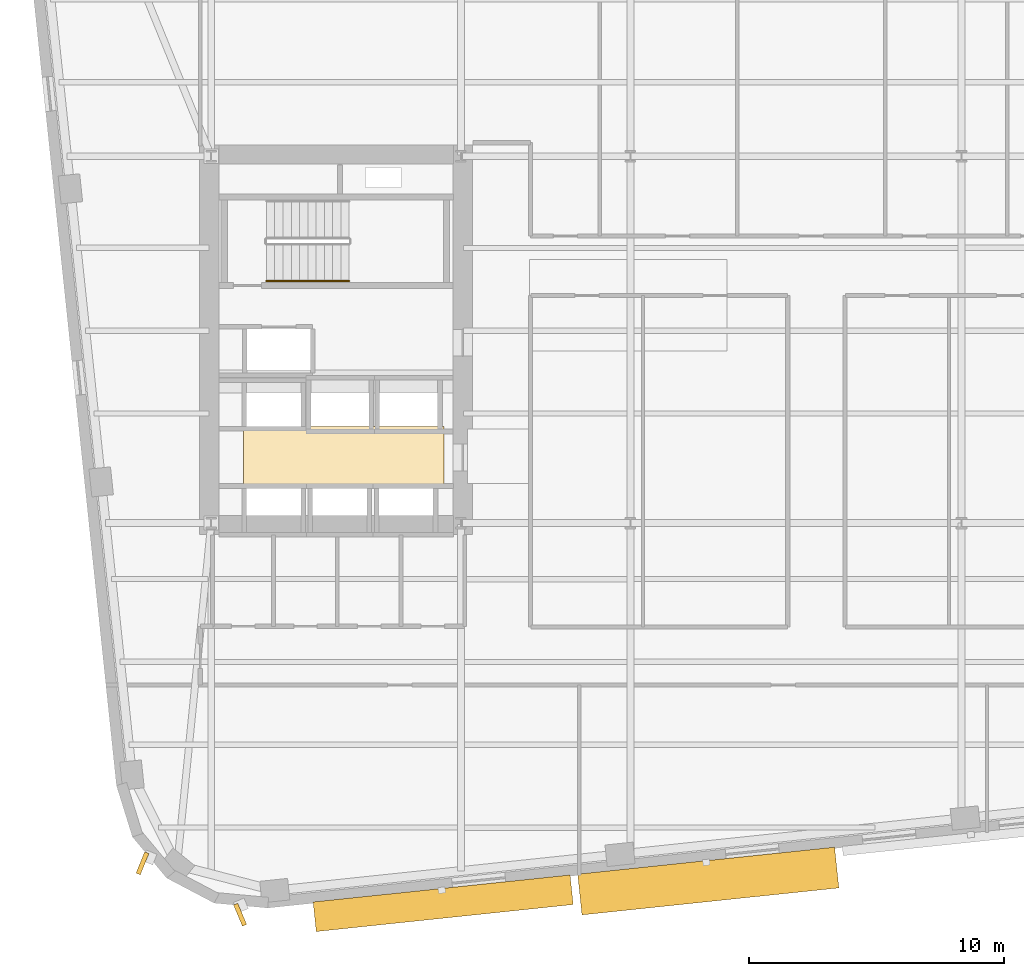
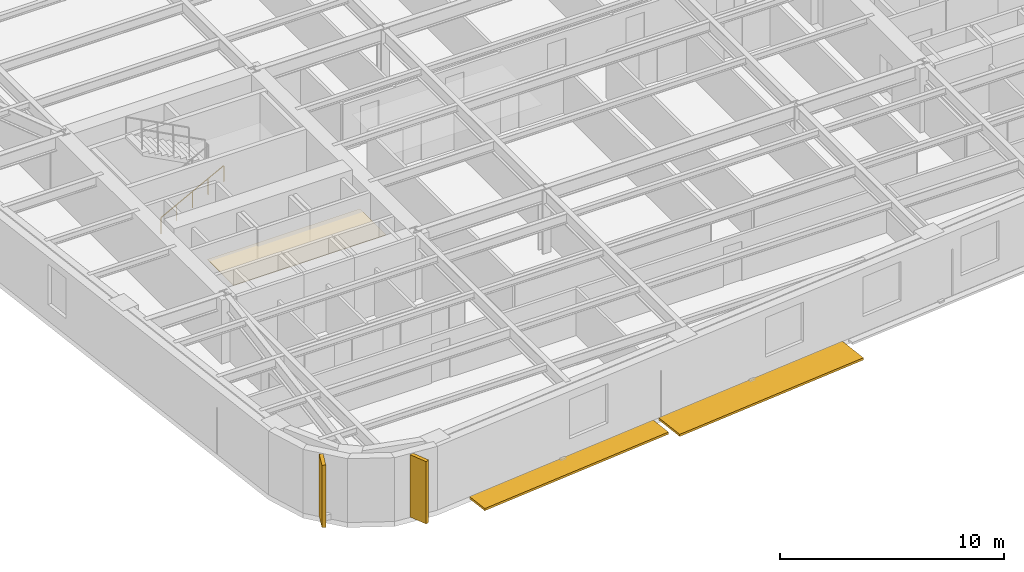
# One storey, part 9 of 15: 4 shading devices, 1 covering, 1 railing.
"""IFC4 building model written with IfcOpenShell, lengths in metres."""

from ifc_helpers import new_model, si_unit, direction, frame, origin, origin_2d, place, context, subcontext, project, spatial, polyline, rectangle, circle, outline, extrude, material, layer, layer_set, type_object, element, save


model = new_model("IFC4")

# Units and contexts
model_context = context("Model", 3, precision=1e-05, world=origin(), true_north=direction((0.0, 1.0)))
body_context = subcontext(model_context, "Body", "Model", "MODEL_VIEW")
ifc_project = project(units=[si_unit("LENGTHUNIT", "METRE"), si_unit("AREAUNIT", "SQUARE_METRE"), si_unit("VOLUMEUNIT", "CUBIC_METRE"), si_unit("PLANEANGLEUNIT", "RADIAN"), si_unit("MASSUNIT", "GRAM", prefix="KILO")], contexts=[model_context])

# Site, building, storey
site_placement = place(None, origin())
site = spatial("IfcSite", under=ifc_project, at=site_placement, CompositionType="ELEMENT")
building_placement = place(site_placement, origin())
building = spatial("IfcBuilding", under=site, at=building_placement, Name="Kolvaren Arena Tower", CompositionType="ELEMENT")
storey_placement = place(building_placement, frame((0.0, 0.0, 107.199951171875)))
storey = spatial("IfcBuildingStorey", under=building, at=storey_placement, Name="L24", CompositionType="ELEMENT", Elevation=107.199951171875)

# Covering
ifc_material_1 = material(Name="Moisture-resistant gypsum ceiling", Category="gypsum")
ifc_layer = layer(ifc_material_1, 0.030029296875)
ifc_layer_set = layer_set([ifc_layer], Name="Moisture-resistant gypsum ceiling")
covering_type = type_object("IfcCoveringType", Name="CEIL-GYP-1", PredefinedType="CEILING", material=ifc_layer_set)
covering_placement = place(storey_placement, frame((0.0, 0.0, 2.52001953125)))
element("IfcCovering", 1, at=covering_placement, inside=storey, type_object=covering_type, Name="Suspended Ceiling (L24)", PredefinedType="CEILING", context=body_context, shape_type="SweptSolid", body=[
    extrude(outline(polyline([(15.820068359375, 20.89990234375), (15.820068359375, 23.239990234375), (23.679931640625, 23.239990234375), (23.679931640625, 20.89990234375), (15.820068359375, 20.89990234375)])), origin(), (0.0, 0.0, 1.0), 0.030029296875),
])

# Railing
ifc_material_2 = material(Name="Brushed stainless steel handrail", Category="steel")
railing_type = type_object("IfcRailingType", Name="HRAIL-900", PredefinedType="HANDRAIL", material=ifc_material_2)
railing_placement = place(storey_placement, frame((16.719970703125, 28.949951171875, 0.17041015625)))
element("IfcRailing", 2, at=railing_placement, inside=storey, type_object=railing_type, Name="L24 ST-W1 stair handrail 1", PredefinedType="HANDRAIL", context=body_context, shape_type="SweptSolid", body=[
    extrude(circle(Radius=0.02392578125, at=origin_2d()), frame((0.0, 0.0, 0.8759765625), z_axis=(0.884993431791, 0.0, 0.465603506952), x_axis=(0.0, 1.0, 0.0)), (0.0, 0.0, 1.0), 3.6611328125),
    extrude(circle(Radius=0.02099609375, at=origin_2d()), origin(), (0.0, 0.0, 1.0), 0.851806640625),
    extrude(circle(Radius=0.02099609375, at=origin_2d()), frame((0.81005859375, 0.0, 0.42626953125)), (0.0, 0.0, 1.0), 0.851806640625),
    extrude(circle(Radius=0.02099609375, at=origin_2d()), frame((1.6201171875, 0.0, 0.852294921875)), (0.0, 0.0, 1.0), 0.851806640625),
    extrude(circle(Radius=0.02099609375, at=origin_2d()), frame((2.429931640625, 0.0, 1.2783203125)), (0.0, 0.0, 1.0), 0.851806640625),
    extrude(circle(Radius=0.02099609375, at=origin_2d()), frame((3.239990234375, 0.0, 1.70458984375)), (0.0, 0.0, 1.0), 0.851806640625),
])

# Shading devices
ifc_material_3 = material(Name="Precast architectural concrete C50/60 rib fin", Category="concrete")
shading_device_type_1 = type_object("IfcShadingDeviceType", Name="SHAD-FIN-28", PredefinedType="USERDEFINED", material=ifc_material_3)
for number, where, z_axis, x_axis, name in (
    (3, (11.8525390625, 6.09521484375, 0.02001953125), (0.0, 0.0, 1.0), (-0.378634078949, -0.925546451702, 0.0), "Precast 28-Deg Corner Rib Fin (L24)"),
    (4, (15.683837890625, 4.07958984375, 0.02001953125), (0.0, 0.0, 1.0), (0.386706132999, -0.922202996472, 0.0), "Precast 28-Deg Corner Rib Fin (L24)"),
):
    element("IfcShadingDevice", number, at=place(storey_placement, frame(where, z_axis=z_axis, x_axis=x_axis)), inside=storey, type_object=shading_device_type_1, Name=name, ObjectType="FIN", PredefinedType="USERDEFINED", context=body_context, shape_type="SweptSolid", body=[
        extrude(rectangle(XDim=0.89990234375, YDim=0.179931640625, at=origin_2d()), origin(), (0.0, 0.0, 1.0), 3.39990234375),
    ])
ifc_material_4 = material(Name="Architectural precast GFRC and anodised aluminium sunshade", Category="concrete")
shading_device_type_2 = type_object("IfcShadingDeviceType", Name="SHAD-SINE-A", PredefinedType="USERDEFINED", material=ifc_material_4)
shading_device_1_placement = place(storey_placement, frame((23.654052734375, 4.5283203125, -0.139892578125), z_axis=(0.0, 0.0, 1.0), x_axis=(-0.994522077803, -0.104526727499, 0.0)))
element("IfcShadingDevice", 5, at=shading_device_1_placement, inside=storey, type_object=shading_device_type_2, Name="Sinusoidal Slab-Edge Sunshade Louvre (L24)", ObjectType="LOUVRE", PredefinedType="USERDEFINED", context=body_context, shape_type="SweptSolid", body=[
    extrude(rectangle(XDim=10.139892578125, YDim=1.168701171875, at=origin_2d()), origin(), (0.0, 0.0, 1.0), 0.1201171875),
])
shading_device_type_3 = type_object("IfcShadingDeviceType", Name="SHAD-SINE-B", PredefinedType="JALOUSIE", material=ifc_material_4)
shading_device_2_placement = place(storey_placement, frame((34.059814453125, 5.400390625, -0.139892578125), z_axis=(0.0, 0.0, 1.0), x_axis=(-0.994522077803, -0.104526727499, 0.0)))
element("IfcShadingDevice", 6, at=shading_device_2_placement, inside=storey, type_object=shading_device_type_3, Name="Sinusoidal Slab-Edge Sunshade Louvre (L24)", PredefinedType="JALOUSIE", context=body_context, shape_type="SweptSolid", body=[
    extrude(rectangle(XDim=10.139892578125, YDim=1.609375, at=origin_2d()), origin(), (0.0, 0.0, 1.0), 0.1201171875),
])

save(model, "model.ifc")
